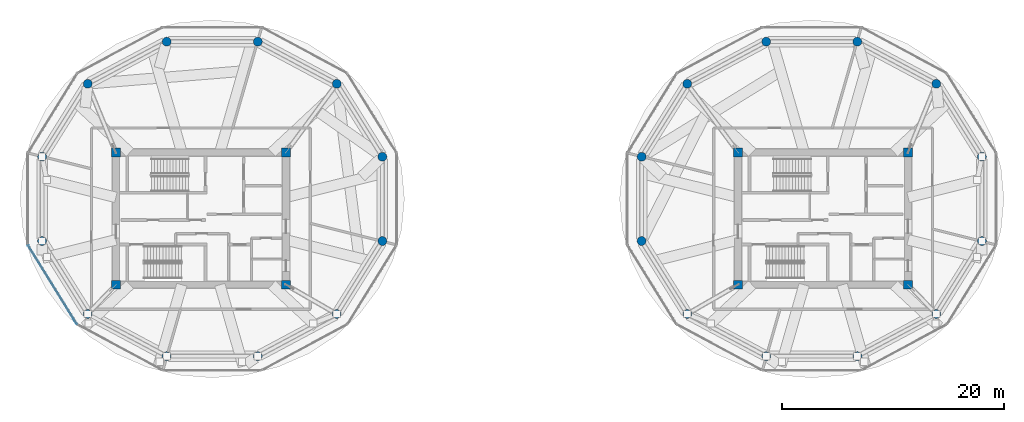
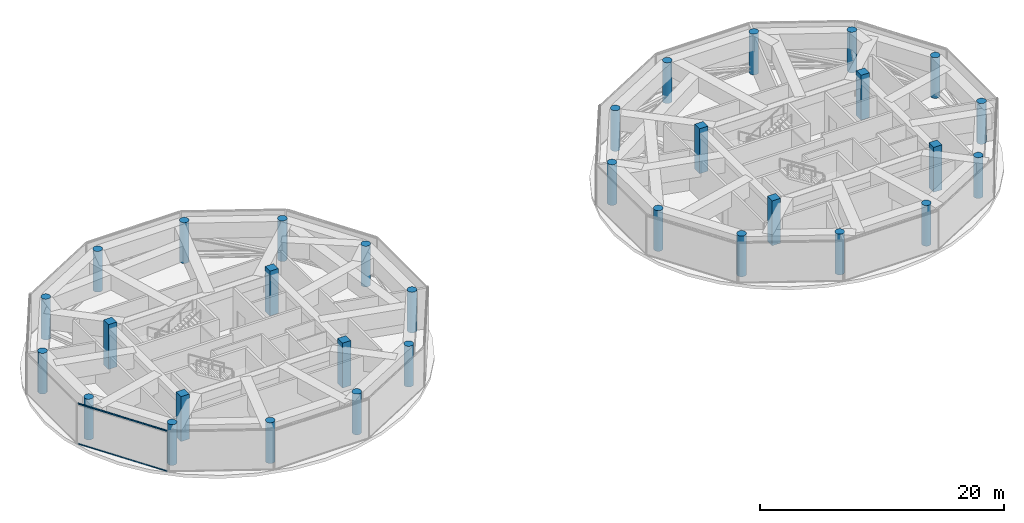
# One storey, part 1 of 20: 32 columns, 2 members, 1 element without a shape of its own.
"""IFC4 building model written with IfcOpenShell, lengths in metres."""

from ifc_helpers import new_model, si_unit, direction, frame, origin, origin_2d, place, context, subcontext, project, spatial, rectangle, circle, extrude, source, transform, mapped, material, layer, layer_set, material_profile, profile_set, type_object, type_shapes, element, aggregate, save


model = new_model("IFC4")

# Units and contexts
model_context = context("Model", 3, precision=1e-05, world=origin(), true_north=direction((0.0, 1.0)))
body_context = subcontext(model_context, "Body", "Model", "MODEL_VIEW")
ifc_project = project(units=[si_unit("LENGTHUNIT", "METRE"), si_unit("AREAUNIT", "SQUARE_METRE"), si_unit("VOLUMEUNIT", "CUBIC_METRE"), si_unit("PLANEANGLEUNIT", "RADIAN"), si_unit("MASSUNIT", "GRAM", prefix="KILO")], contexts=[model_context])

# Site, building, storey
site_placement = place(None, origin())
site = spatial("IfcSite", under=ifc_project, at=site_placement, CompositionType="ELEMENT")
building_placement = place(site_placement, origin())
building = spatial("IfcBuilding", under=site, at=building_placement, Name="Norrkilde Senior Care Towers", CompositionType="ELEMENT")
storey_placement = place(building_placement, frame((0.0, 0.0, 186.14990234375)))
storey = spatial("IfcBuildingStorey", under=building, at=storey_placement, Name="L58", CompositionType="ELEMENT", Elevation=186.14990234375)

# Columns
ifc_material_1 = material(Name="Concrete C60/75", Category="concrete")
ifc_material_profile_1 = material_profile(ifc_material_1, rectangle(XDim=0.800048828125, YDim=0.800048828125, at=origin_2d()), Name="RC COL 800x800")
ifc_profile_set_1 = profile_set([ifc_material_profile_1], Name="Concrete C60/75")
column_type_1 = type_object("IfcColumnType", Name="Column Core Corner Z3-Z4 800", PredefinedType="COLUMN", material=ifc_profile_set_1)
shared_shape_1 = source(origin(), body_context, "Body", "SweptSolid", [
    extrude(rectangle(XDim=0.800048828125, YDim=0.800048828125, at=origin_2d()), origin(), (0.0, 0.0, 1.0), 4.5),
])
type_shapes(column_type_1, [shared_shape_1])
for number, where, z_axis, x_axis, name in (
    (1, (-35.64990234375, -5.949951171875, 0.0), (0.0, 0.0, 1.0), (1.0, 0.0, 0.0), "L58 Core W Corner Column 1"),
    (2, (-20.35009765625, -5.949951171875, 0.0), (0.0, 0.0, 1.0), (1.0, 0.0, 0.0), "L58 Core W Corner Column 2"),
    (3, (-20.35009765625, 5.949951171875, 0.0), (0.0, 0.0, 1.0), (1.0, 0.0, 0.0), "L58 Core W Corner Column 3"),
    (4, (-35.64990234375, 5.949951171875, 0.0), (0.0, 0.0, 1.0), (1.0, 0.0, 0.0), "L58 Core W Corner Column 4"),
    (5, (20.35009765625, -5.949951171875, 0.0), (0.0, 0.0, 1.0), (1.0, 0.0, 0.0), "L58 Core E Corner Column 1"),
    (6, (35.64990234375, -5.949951171875, 0.0), (0.0, 0.0, 1.0), (1.0, 0.0, 0.0), "L58 Core E Corner Column 2"),
    (7, (35.64990234375, 5.949951171875, 0.0), (0.0, 0.0, 1.0), (1.0, 0.0, 0.0), "L58 Core E Corner Column 3"),
    (8, (20.35009765625, 5.949951171875, 0.0), (0.0, 0.0, 1.0), (1.0, 0.0, 0.0), "L58 Core E Corner Column 4"),
):
    element("IfcColumn", number, at=place(storey_placement, frame(where, z_axis=z_axis, x_axis=x_axis)), inside=storey, type_object=column_type_1, Name=name, PredefinedType="COLUMN", context=body_context, shape_type="MappedRepresentation", body=[
        mapped(shared_shape_1, transform((0.0, 0.0, 0.0), x_axis=(1.0, 0.0, 0.0), y_axis=(0.0, 1.0, 0.0), z_axis=(0.0, 0.0, 1.0), scale=1.0)),
    ])
ifc_material_2 = material(Name="Concrete C50/60", Category="concrete")
ifc_material_profile_2 = material_profile(ifc_material_2, circle(Radius=0.39990234375, at=origin_2d()), Name="RC CIR 800")
ifc_profile_set_2 = profile_set([ifc_material_profile_2], Name="Concrete C50/60")
column_type_2 = type_object("IfcColumnType", Name="Column Perimeter Z3 800", PredefinedType="COLUMN", material=ifc_profile_set_2)
shared_shape_2 = source(origin(), body_context, "Body", "SweptSolid", [
    extrude(circle(Radius=0.39990234375, at=origin_2d()), origin(), (0.0, 0.0, 1.0), 4.080078125),
])
type_shapes(column_type_2, [shared_shape_2])
for number, where, z_axis, x_axis, name in (
    (9, (-11.6650390625, 5.567138671875, 0.0), (0.0, 0.0, 1.0), (1.0, 0.0, 0.0), "L58 Drum W Perimeter Column 01"),
    (10, (-15.767333984375, 12.134521484375, 0.0), (0.0, 0.0, 1.0), (1.0, 0.0, 0.0), "L58 Drum W Perimeter Column 02"),
    (11, (-22.872802734375, 15.92626953125, 0.0), (0.0, 0.0, 1.0), (1.0, 0.0, 0.0), "L58 Drum W Perimeter Column 03"),
    (12, (-31.077392578125, 15.92626953125, 0.0), (0.0, 0.0, 1.0), (1.0, 0.0, 0.0), "L58 Drum W Perimeter Column 04"),
    (13, (-38.1826171875, 12.134521484375, 0.0), (0.0, 0.0, 1.0), (1.0, 0.0, 0.0), "L58 Drum W Perimeter Column 05"),
    (14, (-42.284912109375, 5.567138671875, 0.0), (0.0, 0.0, 1.0), (1.0, 0.0, 0.0), "L58 Drum W Perimeter Column 06"),
    (15, (-42.284912109375, -2.016357421875, 0.0), (0.0, 0.0, 1.0), (1.0, 0.0, 0.0), "L58 Drum W Perimeter Column 07"),
    (16, (-38.1826171875, -8.583740234375, 0.0), (0.0, 0.0, 1.0), (1.0, 0.0, 0.0), "L58 Drum W Perimeter Column 08"),
    (17, (-31.077392578125, -12.37548828125, 0.0), (0.0, 0.0, 1.0), (1.0, 0.0, 0.0), "L58 Drum W Perimeter Column 09"),
    (18, (-22.872802734375, -12.37548828125, 0.0), (0.0, 0.0, 1.0), (1.0, 0.0, 0.0), "L58 Drum W Perimeter Column 10"),
    (19, (-15.767333984375, -8.583740234375, 0.0), (0.0, 0.0, 1.0), (1.0, 0.0, 0.0), "L58 Drum W Perimeter Column 11"),
    (20, (-11.6650390625, -2.016357421875, 0.0), (0.0, 0.0, 1.0), (1.0, 0.0, 0.0), "L58 Drum W Perimeter Column 12"),
    (21, (42.284912109375, 5.567138671875, 0.0), (0.0, 0.0, 1.0), (1.0, 0.0, 0.0), "L58 Drum E Perimeter Column 01"),
    (22, (38.1826171875, 12.134521484375, 0.0), (0.0, 0.0, 1.0), (1.0, 0.0, 0.0), "L58 Drum E Perimeter Column 02"),
    (23, (31.077392578125, 15.92626953125, 0.0), (0.0, 0.0, 1.0), (1.0, 0.0, 0.0), "L58 Drum E Perimeter Column 03"),
    (24, (22.872802734375, 15.92626953125, 0.0), (0.0, 0.0, 1.0), (1.0, 0.0, 0.0), "L58 Drum E Perimeter Column 04"),
    (25, (15.767333984375, 12.134521484375, 0.0), (0.0, 0.0, 1.0), (1.0, 0.0, 0.0), "L58 Drum E Perimeter Column 05"),
    (26, (11.6650390625, 5.567138671875, 0.0), (0.0, 0.0, 1.0), (1.0, 0.0, 0.0), "L58 Drum E Perimeter Column 06"),
    (27, (11.6650390625, -2.016357421875, 0.0), (0.0, 0.0, 1.0), (1.0, 0.0, 0.0), "L58 Drum E Perimeter Column 07"),
    (28, (15.767333984375, -8.583740234375, 0.0), (0.0, 0.0, 1.0), (1.0, 0.0, 0.0), "L58 Drum E Perimeter Column 08"),
    (29, (22.872802734375, -12.37548828125, 0.0), (0.0, 0.0, 1.0), (1.0, 0.0, 0.0), "L58 Drum E Perimeter Column 09"),
    (30, (31.077392578125, -12.37548828125, 0.0), (0.0, 0.0, 1.0), (1.0, 0.0, 0.0), "L58 Drum E Perimeter Column 10"),
    (31, (38.1826171875, -8.583740234375, 0.0), (0.0, 0.0, 1.0), (1.0, 0.0, 0.0), "L58 Drum E Perimeter Column 11"),
    (32, (42.284912109375, -2.016357421875, 0.0), (0.0, 0.0, 1.0), (1.0, 0.0, 0.0), "L58 Drum E Perimeter Column 12"),
):
    element("IfcColumn", number, at=place(storey_placement, frame(where, z_axis=z_axis, x_axis=x_axis)), inside=storey, type_object=column_type_2, Name=name, PredefinedType="COLUMN", context=body_context, shape_type="MappedRepresentation", body=[
        mapped(shared_shape_2, transform((0.0, 0.0, 0.0), x_axis=(1.0, 0.0, 0.0), y_axis=(0.0, 1.0, 0.0), z_axis=(0.0, 0.0, 1.0), scale=1.0)),
    ])

# Curtain wall, members
ifc_material_3 = material(Name="Triple Low-E Insulated Glazing", Category="glass")
ifc_layer = layer(ifc_material_3, 0.18505859375)
ifc_layer_set = layer_set([ifc_layer], Name="Triple Low-E Insulated Glazing")
curtain_wall_type = type_object("IfcCurtainWallType", Name="CW6 Zone 4 Crown Pavilion Curtain Wall", PredefinedType="NOTDEFINED", material=ifc_layer_set)
curtain_wall_placement = place(storey_placement, origin())
curtain_wall = element("IfcCurtainWall", 33, at=curtain_wall_placement, inside=storey, type_object=curtain_wall_type, Name="L58 Drum W Curtain Wall 06", PredefinedType="NOTDEFINED")
ifc_material_4 = material(Name="Anodised Aluminium", Category="aluminium")
ifc_material_profile_3 = material_profile(ifc_material_4, rectangle(XDim=0.06494140625, YDim=0.1298828125, at=origin_2d()), Name="ALU TRAN 65x130")
ifc_profile_set_3 = profile_set([ifc_material_profile_3], Name="Anodised Aluminium")
member_type = type_object("IfcMemberType", Name="Curtain Wall Transom Heavy 65x130", PredefinedType="USERDEFINED", material=ifc_profile_set_3)
shared_shape_3 = source(origin(), body_context, "Body", "SweptSolid", [
    extrude(rectangle(XDim=0.06494140625, YDim=0.1298828125, at=origin_2d()), origin(), (0.0, 0.0, 1.0), 8.29150390625),
])
type_shapes(member_type, [shared_shape_3])
member_1_placement = place(storey_placement, frame((-39.159912109375, -9.46484375, 0.03271484375), z_axis=(-0.527384117405, 0.849626972682, 0.0), x_axis=(-0.849626972682, -0.527384117405, 0.0)))
member_1 = element("IfcMember", 34, at=member_1_placement, type_object=member_type, Name="CW-6 transom 1.1", ObjectType="TRANSOM", PredefinedType="USERDEFINED", context=body_context, shape_type="MappedRepresentation", body=[
    mapped(shared_shape_3, transform((0.0, 0.0, 0.0), x_axis=(1.0, 0.0, 0.0), y_axis=(0.0, 1.0, 0.0), z_axis=(0.0, 0.0, 1.0), scale=1.0)),
])
member_2_placement = place(storey_placement, frame((-39.159912109375, -9.46484375, 4.047607421875), z_axis=(-0.527384117405, 0.849626972682, 0.0), x_axis=(-0.849626972682, -0.527384117405, 0.0)))
member_2 = element("IfcMember", 35, at=member_2_placement, type_object=member_type, Name="CW-6 transom 1.2", ObjectType="TRANSOM", PredefinedType="USERDEFINED", context=body_context, shape_type="MappedRepresentation", body=[
    mapped(shared_shape_3, transform((0.0, 0.0, 0.0), x_axis=(1.0, 0.0, 0.0), y_axis=(0.0, 1.0, 0.0), z_axis=(0.0, 0.0, 1.0), scale=1.0)),
])
aggregate(curtain_wall, [member_1, member_2])

save(model, "model.ifc")
